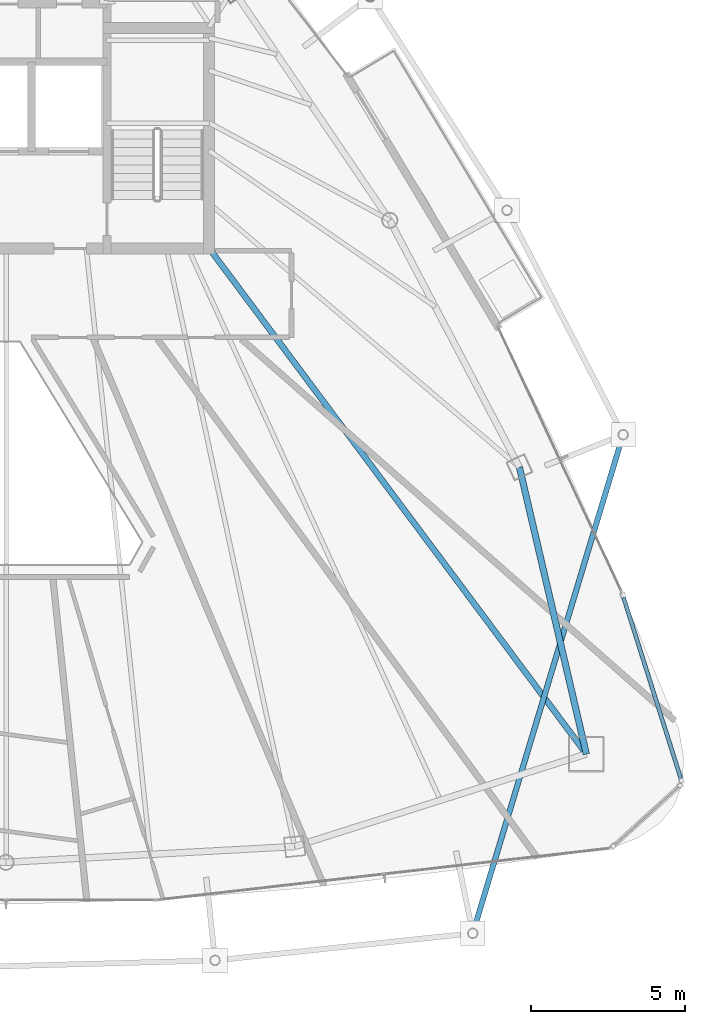
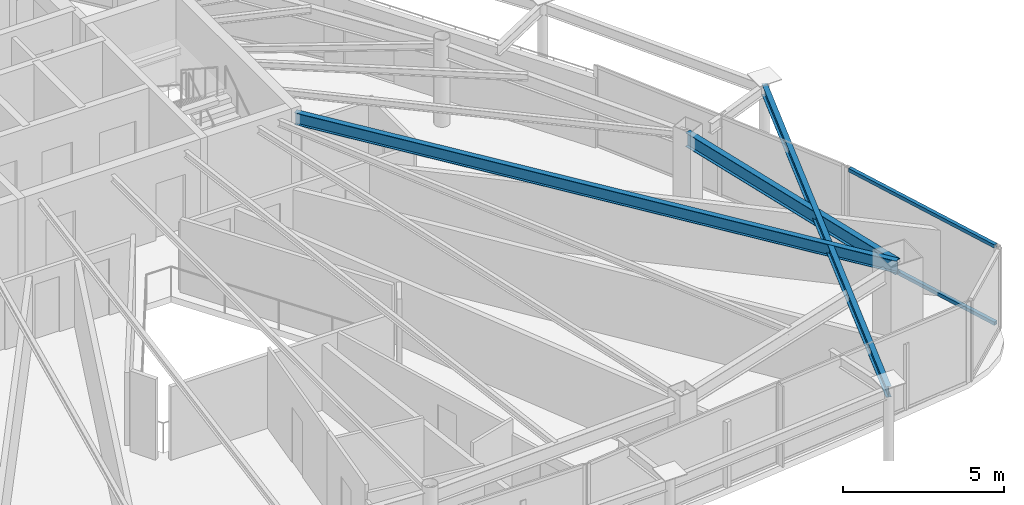
# One storey, part 15 of 28: 3 beams, 2 members, 1 element without a shape of its own.
"""IFC4 building model written with IfcOpenShell, lengths in metres."""

import ifcopenshell
import ifcopenshell.guid

model = None  # the IFC model being written
_history = None  # IfcOwnerHistory: only IFC2X3 demands one
_inside = {}  # id of a spatial element -> (the spatial element, [elements in it])
_under = {}  # id of a project, library or spatial element -> (it, [spatial elements below it])
_declared = {}  # id of a project -> (the project, [libraries it declares])
_typed = {}  # id of a type object -> (the type object, [elements of that type])
_made_of = {}  # id of a material, layer set ... -> (it, [elements and type objects made of it])


def new_model(schema):
    """Start an empty IFC model of exactly this schema.

    Asked for "IFC4X3", IfcOpenShell would pick the latest addendum, in which some entities
    have other attributes; the version numbers below select the first issue.
    IFC2X3 requires an IfcOwnerHistory on every rooted entity: one is made here for all.
    """
    global model, _history
    if schema == "IFC4X3":
        model = ifcopenshell.file(schema_version=(4, 3, 0, 0))
    else:
        model = ifcopenshell.file(schema=schema)
    _inside.clear()
    _under.clear()
    _declared.clear()
    _typed.clear()
    _made_of.clear()
    _history = None
    if model.schema == "IFC2X3":
        org = make("IfcOrganization", Name="unknown")
        user = make(
            "IfcPersonAndOrganization",
            ThePerson=make("IfcPerson", FamilyName="unknown"),
            TheOrganization=org,
        )
        app = make(
            "IfcApplication",
            ApplicationDeveloper=org,
            Version="unknown",
            ApplicationFullName="unknown",
            ApplicationIdentifier="unknown",
        )
        _history = make(
            "IfcOwnerHistory",
            OwningUser=user,
            OwningApplication=app,
            ChangeAction="ADDED",
            CreationDate=0,
        )
    return model


def make(cls, **values):
    """One entity of the class cls with the attributes given. An attribute that is None is left unset."""
    return model.create_entity(
        cls, **{name: value for name, value in values.items() if value is not None}
    )


def rooted(cls, **values):
    """An entity with a GlobalId (a new one), such as an element, a storey or a relation."""
    return make(cls, GlobalId=ifcopenshell.guid.new(), OwnerHistory=_history, **values)


def si_unit(unit_type, name, prefix=None):
    """IfcSIUnit, for example si_unit("LENGTHUNIT", "METRE", prefix="MILLI")."""
    return make("IfcSIUnit", UnitType=unit_type, Prefix=prefix, Name=name)


def assignment(units):
    """IfcUnitAssignment: the units of a project."""
    return None if units is None else make("IfcUnitAssignment", Units=units)


def point(xyz):
    """IfcCartesianPoint."""
    return None if xyz is None else make("IfcCartesianPoint", Coordinates=xyz)


def direction(xyz):
    """IfcDirection."""
    return None if xyz is None else make("IfcDirection", DirectionRatios=xyz)


def frame(location, z_axis=None, x_axis=None):
    """IfcAxis2Placement3D, a coordinate frame: its origin and axes. An axis left out is left unset."""
    return make(
        "IfcAxis2Placement3D",
        Location=point(location),
        Axis=direction(z_axis),
        RefDirection=direction(x_axis),
    )


def frame_2d(location, x_axis=None):
    """IfcAxis2Placement2D, a coordinate frame in the plane: its origin and x axis."""
    return make(
        "IfcAxis2Placement2D", Location=point(location), RefDirection=direction(x_axis)
    )


def origin():
    """The frame at (0, 0, 0) with its axes left unset."""
    return frame((0.0, 0.0, 0.0))


def origin_2d():
    """The frame at (0, 0) in the plane with its x axis left unset."""
    return frame_2d((0.0, 0.0))


def place(relative_to, where):
    """IfcLocalPlacement: puts the frame where relative to a parent placement (None: the world)."""
    return make(
        "IfcLocalPlacement", PlacementRelTo=relative_to, RelativePlacement=where
    )


def context(
    kind, dimensions, precision=None, world=None, true_north=None, identifier=None
):
    """IfcGeometricRepresentationContext, for example the 3D "Model" context."""
    return make(
        "IfcGeometricRepresentationContext",
        ContextIdentifier=identifier,
        ContextType=kind,
        CoordinateSpaceDimension=dimensions,
        Precision=precision,
        WorldCoordinateSystem=world,
        TrueNorth=true_north,
    )


def subcontext(parent, identifier, kind, view, scale=None):
    """IfcGeometricRepresentationSubContext, for example "Body" below "Model"."""
    return make(
        "IfcGeometricRepresentationSubContext",
        ContextIdentifier=identifier,
        ContextType=kind,
        ParentContext=parent,
        TargetScale=scale,
        TargetView=view,
    )


def project(units=None, contexts=None):
    """IfcProject with its units and contexts."""
    return rooted(
        "IfcProject",
        Name="project",
        RepresentationContexts=contexts,
        UnitsInContext=assignment(units),
    )


def spatial(cls, under=None, at=None, **own):
    """A site, building, storey or space (cls), placed at a placement, below another one or the project."""
    s = rooted(cls, ObjectPlacement=at, **own)
    if under is not None:
        _under.setdefault(under.id(), (under, []))[1].append(s)
    return s


def profile(cls, at=None, kind="AREA", **sizes):
    """A parametric profile (cls). Its sizes go by their IFC names, for example OverallWidth=200.0."""
    return make(cls, ProfileType=kind, Position=at, **sizes)


def hollow_rectangle(**sizes):
    """IfcRectangleHollowProfileDef."""
    return profile("IfcRectangleHollowProfileDef", **sizes)


def i_section(**sizes):
    """IfcIShapeProfileDef."""
    return profile("IfcIShapeProfileDef", **sizes)


def extrude(swept, where, along, depth):
    """IfcExtrudedAreaSolid: the profile swept, set in the frame where, extruded along a direction by depth."""
    return make(
        "IfcExtrudedAreaSolid",
        SweptArea=swept,
        Position=where,
        ExtrudedDirection=direction(along),
        Depth=depth,
    )


def shape(context_of_items, identifier, shape_type, items):
    """IfcShapeRepresentation: the items that make up one representation, for example the "Body"."""
    return make(
        "IfcShapeRepresentation",
        ContextOfItems=context_of_items,
        RepresentationIdentifier=identifier,
        RepresentationType=shape_type,
        Items=items,
    )


def material(Name=None, Category=None):
    """IfcMaterial."""
    return make("IfcMaterial", Name=Name, Category=Category)


def layer(
    of_material, thickness, ventilated=None, Name=None, Category=None, Priority=None
):
    """IfcMaterialLayer: one layer of a wall or slab, of a material (None: an air gap)."""
    return make(
        "IfcMaterialLayer",
        Material=of_material,
        LayerThickness=thickness,
        IsVentilated=ventilated,
        Name=Name,
        Category=Category,
        Priority=Priority,
    )


def layer_set(layers, Name=None):
    """IfcMaterialLayerSet."""
    return make("IfcMaterialLayerSet", MaterialLayers=layers, LayerSetName=Name)


def material_profile(
    of_material, cross_section, Name=None, Category=None, Priority=None
):
    """IfcMaterialProfile: a cross section and its material."""
    return make(
        "IfcMaterialProfile",
        Name=Name,
        Material=of_material,
        Profile=cross_section,
        Priority=Priority,
        Category=Category,
    )


def profile_set(profiles, Name=None, composite=None):
    """IfcMaterialProfileSet."""
    return make(
        "IfcMaterialProfileSet",
        Name=Name,
        MaterialProfiles=profiles,
        CompositeProfile=composite,
    )


def made_of(thing, what):
    """Note that an element or type object is made of a material, layer set ...; save() writes the relation."""
    if what is not None:
        _made_of.setdefault(what.id(), (what, []))[1].append(thing)
    return thing


def type_object(cls, material=None, **own):
    """A type object (cls), such as IfcWallType, which elements share."""
    return made_of(rooted(cls, **own), material)


def element(
    cls,
    number,
    at=None,
    inside=None,
    cuts=None,
    type_object=None,
    material=None,
    context=None,
    identifier="Body",
    shape_type=None,
    held_by="IfcProductDefinitionShape",
    body=None,
    shapes=None,
    **own,
):
    """One element of the class cls, such as IfcWall. Its Tag is "e" and its number.

    at: its placement. inside: the storey or other place that contains it. cuts: it is an
    opening in that element (IfcRelVoidsElement). A single representation is given by context,
    identifier, shape_type and body (its items); several are given by shapes. held_by: the class
    of the entity that holds the representations. save() writes the other relations.
    """
    e = rooted(cls, Tag="e%d" % number, ObjectPlacement=at, **own)
    if body is not None:
        shapes = [shape(context, identifier, shape_type, body)]
    if shapes is not None:
        e.Representation = make(held_by, Representations=shapes)
    if inside is not None:
        _inside.setdefault(inside.id(), (inside, []))[1].append(e)
    if cuts is not None:
        rooted(
            "IfcRelVoidsElement", RelatingBuildingElement=cuts, RelatedOpeningElement=e
        )
    if type_object is not None:
        _typed.setdefault(type_object.id(), (type_object, []))[1].append(e)
    return made_of(e, material)


def aggregate(whole, parts):
    """IfcRelAggregates: a whole, such as a stair, and the parts it consists of."""
    return rooted("IfcRelAggregates", RelatingObject=whole, RelatedObjects=parts)


def save(model, path):
    """Write the relations noted so far, then the file.

    IfcRelAggregates (storeys below a building ...), IfcRelContainedInSpatialStructure (elements
    in a storey), IfcRelDefinesByType, IfcRelAssociatesMaterial and IfcRelDeclares: one each for
    every whole, place, type object, material and project.
    """
    for whole, parts in _under.values():
        aggregate(whole, parts)
    for where, things in _inside.values():
        rooted(
            "IfcRelContainedInSpatialStructure",
            RelatedElements=things,
            RelatingStructure=where,
        )
    for kind, things in _typed.values():
        rooted("IfcRelDefinesByType", RelatedObjects=things, RelatingType=kind)
    for what, things in _made_of.values():
        rooted("IfcRelAssociatesMaterial", RelatedObjects=things, RelatingMaterial=what)
    for by, libraries in _declared.values():
        rooted("IfcRelDeclares", RelatingContext=by, RelatedDefinitions=libraries)
    model.write(path)


model = new_model("IFC4")

# Units and contexts
model_context = context("Model", 3, precision=1e-05, world=origin(), true_north=direction((0.0, 1.0)))
body_context = subcontext(model_context, "Body", "Model", "MODEL_VIEW")
ifc_project = project(units=[si_unit("LENGTHUNIT", "METRE"), si_unit("AREAUNIT", "SQUARE_METRE"), si_unit("VOLUMEUNIT", "CUBIC_METRE"), si_unit("PLANEANGLEUNIT", "RADIAN"), si_unit("MASSUNIT", "GRAM", prefix="KILO")], contexts=[model_context])

# Site, building, storey
site_placement = place(None, origin())
site = spatial("IfcSite", under=ifc_project, at=site_placement, CompositionType="ELEMENT")
building_placement = place(site_placement, origin())
building = spatial("IfcBuilding", under=site, at=building_placement, Name="Orvanel Arch Residences", CompositionType="ELEMENT")
storey_placement = place(building_placement, frame((0.0, 0.0, 266.75)))
storey = spatial("IfcBuildingStorey", under=building, at=storey_placement, Name="L76", CompositionType="ELEMENT", Elevation=266.75)

# Beams
ifc_material_1 = material(Name="Structural steel AS/NZS 3679.1 Grade 300 (300 MPa)", Category="steel")
ifc_material_profile_1 = material_profile(ifc_material_1, i_section(OverallWidth=0.19091796875, OverallDepth=0.4599609375, WebThickness=0.010009765625, FlangeThickness=0.01611328125, at=origin_2d()), Name="460UB82.1")
ifc_profile_set_1 = profile_set([ifc_material_profile_1], Name="Structural steel AS/NZS 3679.1 Grade 300 (300 MPa)")
beam_type_1 = type_object("IfcBeamType", Name="BG-460UB", PredefinedType="BEAM", material=ifc_profile_set_1)
beam_1_placement = place(storey_placement, frame((39.625, 26.675048828125, 2.830078125), z_axis=(0.597893733742, -0.801575375839, 0.0), x_axis=(0.801575375839, 0.597893733742, 0.0)))
element("IfcBeam", 1, at=beam_1_placement, inside=storey, type_object=beam_type_1, Name="L76 South-East Radial Girder", PredefinedType="BEAM", context=body_context, shape_type="SweptSolid", body=[
    extrude(i_section(OverallWidth=0.19091796875, OverallDepth=0.4599609375, WebThickness=0.010009765625, FlangeThickness=0.01611328125, at=origin_2d()), origin(), (0.0, 0.0, 1.0), 20.36474609375),
])
ifc_material_profile_2 = material_profile(ifc_material_1, i_section(OverallWidth=0.177978515625, OverallDepth=0.406005859375, WebThickness=0.0078125, FlangeThickness=0.0126953125, at=origin_2d()), Name="410UB59.7")
ifc_profile_set_2 = profile_set([ifc_material_profile_2], Name="Structural steel AS/NZS 3679.1 Grade 300 (300 MPa)")
beam_type_2 = type_object("IfcBeamType", Name="OB-410UB-EXT", PredefinedType="SPANDREL", material=ifc_profile_set_2)
beam_2_placement = place(storey_placement, frame((48.12109375, 4.5439453125, 2.85693359375), z_axis=(0.288681993316, 0.957425039747, 0.0), x_axis=(-0.957425039747, 0.288681993316, 0.0)))
element("IfcBeam", 2, at=beam_2_placement, inside=storey, type_object=beam_type_2, Name="L76 Outer Perimeter Floor Ring Beam 08", PredefinedType="SPANDREL", context=body_context, shape_type="SweptSolid", body=[
    extrude(i_section(OverallWidth=0.177978515625, OverallDepth=0.406005859375, WebThickness=0.0078125, FlangeThickness=0.0126953125, at=origin_2d()), origin(), (0.0, 0.0, 1.0), 16.869384765625),
])
ifc_material_profile_3 = material_profile(ifc_material_1, i_section(OverallWidth=0.208984375, OverallDepth=0.532958984375, WebThickness=0.01025390625, FlangeThickness=0.015625, at=origin_2d()), Name="530UB92.4")
ifc_profile_set_3 = profile_set([ifc_material_profile_3], Name="Structural steel AS/NZS 3679.1 Grade 300 (300 MPa)")
beam_type_3 = type_object("IfcBeamType", Name="SP-530UB", PredefinedType="SPANDREL", material=ifc_profile_set_3)
beam_3_placement = place(storey_placement, frame((51.801025390625, 10.35107421875, 2.79296875), z_axis=(-0.227236087167, 0.973839699688, 0.0), x_axis=(-0.973839699688, -0.227236087167, 0.0)))
element("IfcBeam", 3, at=beam_3_placement, inside=storey, type_object=beam_type_3, Name="L76 Perimeter Spandrel Beam 06", PredefinedType="SPANDREL", context=body_context, shape_type="SweptSolid", body=[
    extrude(i_section(OverallWidth=0.208984375, OverallDepth=0.532958984375, WebThickness=0.01025390625, FlangeThickness=0.015625, at=origin_2d()), origin(), (0.0, 0.0, 1.0), 9.54052734375),
])

# Curtain wall, members
ifc_material_2 = material(Name="Bronze-anodised aluminium AA6063-T6", Category="aluminium")
ifc_layer = layer(ifc_material_2, 0.18994140625)
ifc_layer_set = layer_set([ifc_layer], Name="Bronze-anodised aluminium AA6063-T6")
curtain_wall_type = type_object("IfcCurtainWallType", Name="CW5-CRN-SYS", PredefinedType="NOTDEFINED", material=ifc_layer_set)
curtain_wall_placement = place(storey_placement, origin())
curtain_wall = element("IfcCurtainWall", 4, at=curtain_wall_placement, inside=storey, type_object=curtain_wall_type, Name="L76 CW5-CRN-SYS Unitised Curtain Wall", PredefinedType="NOTDEFINED")
ifc_material_profile_4 = material_profile(ifc_material_2, hollow_rectangle(XDim=0.1298828125, YDim=0.1298828125, WallThickness=0.00439453125, at=origin_2d()), Name="ALU130x130x4.5")
ifc_profile_set_4 = profile_set([ifc_material_profile_4], Name="Bronze-anodised aluminium AA6063-T6")
member_type = type_object("IfcMemberType", Name="TRN-130x130", PredefinedType="USERDEFINED", material=ifc_profile_set_4)
member_1_placement = place(storey_placement, frame((54.86083984375, 9.56005859375, 0.06494140625), z_axis=(-0.301633045761, 0.953424095408, 0.0), x_axis=(-0.953424095408, -0.301633045761, 0.0)))
member_1 = element("IfcMember", 5, at=member_1_placement, type_object=member_type, Name="CW-S5 transom 1.1", ObjectType="TRANSOM", PredefinedType="USERDEFINED", context=body_context, shape_type="SweptSolid", body=[
    extrude(hollow_rectangle(XDim=0.1298828125, YDim=0.1298828125, WallThickness=0.00439453125, at=origin_2d()), origin(), (0.0, 0.0, 1.0), 6.148193359375),
])
member_2_placement = place(storey_placement, frame((54.86083984375, 9.56005859375, 2.9951171875), z_axis=(-0.301633045761, 0.953424095408, 0.0), x_axis=(-0.953424095408, -0.301633045761, 0.0)))
member_2 = element("IfcMember", 6, at=member_2_placement, type_object=member_type, Name="CW-S5 transom 1.2", ObjectType="TRANSOM", PredefinedType="USERDEFINED", context=body_context, shape_type="SweptSolid", body=[
    extrude(hollow_rectangle(XDim=0.1298828125, YDim=0.1298828125, WallThickness=0.00439453125, at=origin_2d()), origin(), (0.0, 0.0, 1.0), 6.148193359375),
])
aggregate(curtain_wall, [member_1, member_2])

save(model, "model.ifc")
